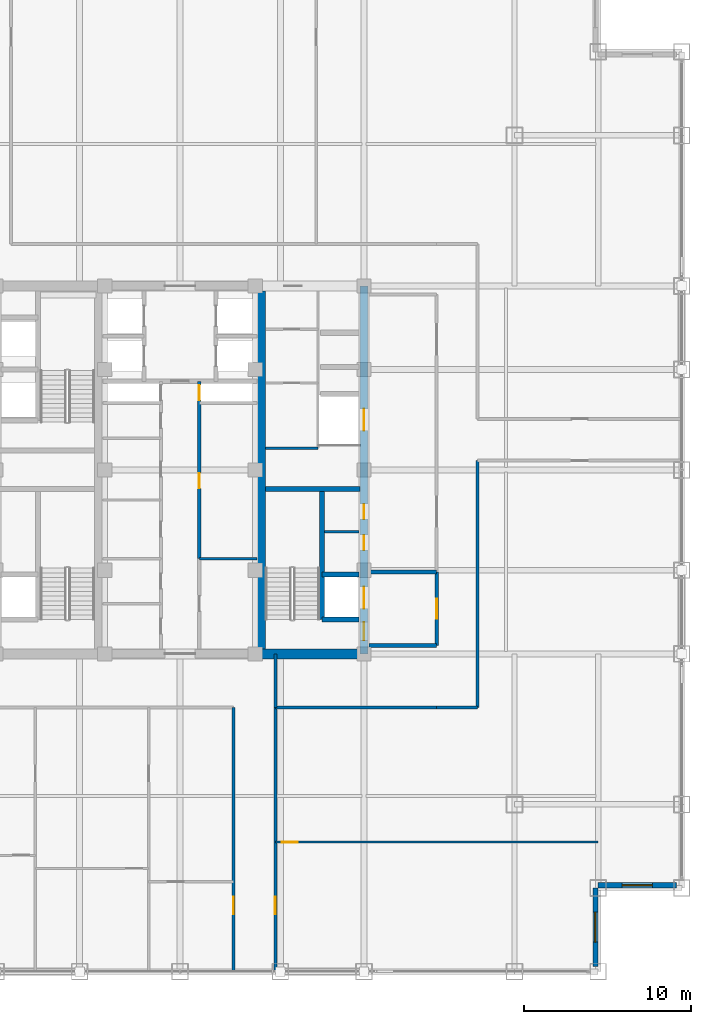
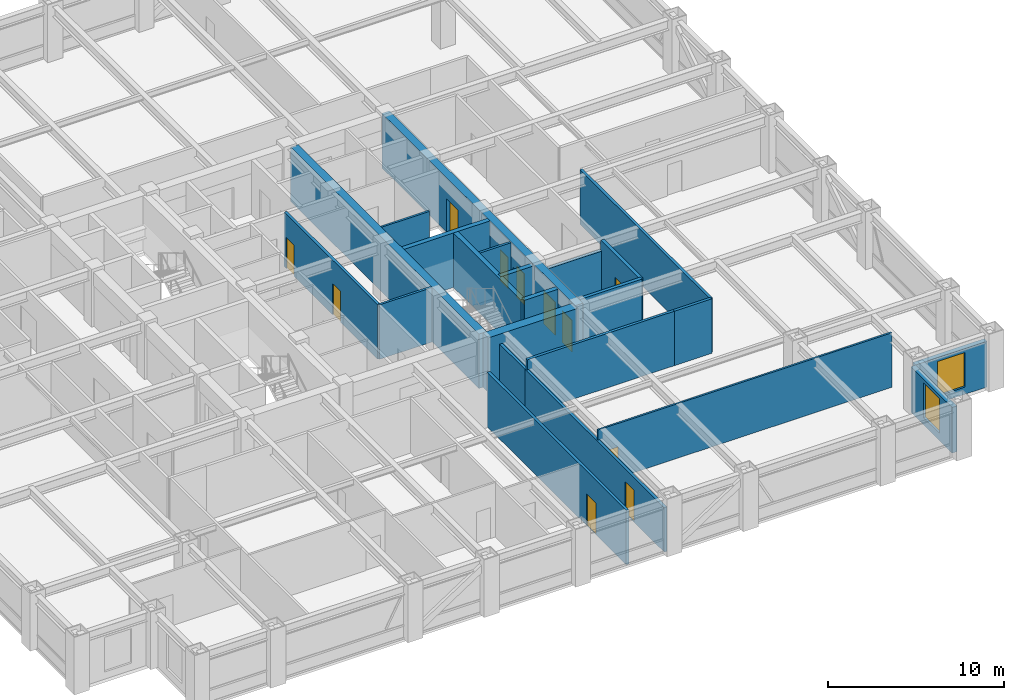
# One storey, part 21 of 24: 23 walls, 11 doors, 2 windows, 13 openings.
"""IFC4 building model written with IfcOpenShell, lengths in metres."""

from ifc_helpers import new_model, si_unit, direction, frame, frame_2d, origin, place, context, subcontext, project, spatial, rectangle, extrude, source, transform, mapped, material, layer, layer_set, type_object, element, fill, save


model = new_model("IFC4")

# Units and contexts
model_context = context("Model", 3, precision=1e-05, world=origin(), true_north=direction((0.0, 1.0)))
body_context = subcontext(model_context, "Body", "Model", "MODEL_VIEW")
ifc_project = project(units=[si_unit("LENGTHUNIT", "METRE"), si_unit("AREAUNIT", "SQUARE_METRE"), si_unit("VOLUMEUNIT", "CUBIC_METRE"), si_unit("PLANEANGLEUNIT", "RADIAN"), si_unit("MASSUNIT", "GRAM", prefix="KILO")], contexts=[model_context])

# Site, building, storey
site_placement = place(None, origin())
site = spatial("IfcSite", under=ifc_project, at=site_placement, CompositionType="ELEMENT")
building_placement = place(site_placement, origin())
building = spatial("IfcBuilding", under=site, at=building_placement, Name="Khorayat Bourse Tower", CompositionType="ELEMENT")
storey_placement = place(building_placement, frame((0.0, 0.0, 211.10009765625)))
storey = spatial("IfcBuildingStorey", under=building, at=storey_placement, Name="L49", CompositionType="ELEMENT", Elevation=211.10009765625)

# Wall
ifc_material_1 = material(Name="Concrete C52/65", Category="concrete")
ifc_layer_1 = layer(ifc_material_1, 0.5)
ifc_layer_set_1 = layer_set([ifc_layer_1], Name="Concrete C52/65")
wall_type_1 = type_object("IfcWallType", Name="WAL-CORE-500", PredefinedType="SHEAR", material=ifc_layer_set_1)
shared_shape_1 = source(origin(), body_context, "Body", "SweptSolid", [
    extrude(rectangle(XDim=21.39990234375, YDim=0.5, at=frame_2d((10.699951171875, 0.0))), origin(), (0.0, 0.0, 1.0), 3.77978515625),
])
wall_1_placement = place(storey_placement, frame((4.85009765625, -10.699951171875, 0.0), z_axis=(0.0, 0.0, 1.0), x_axis=(0.0, 1.0, 0.0)))
element("IfcWall", 1, at=wall_1_placement, inside=storey, type_object=wall_type_1, Name="L49 Core Shear Wall PIER-E", PredefinedType="SHEAR", context=body_context, shape_type="MappedRepresentation", body=[
    mapped(shared_shape_1, transform((0.0, 0.0, 0.0), scale=1.0)),
])

# Wall, openings, doors
shared_shape_2 = source(origin(), body_context, "Body", "SweptSolid", [
    extrude(rectangle(XDim=22.0, YDim=0.5, at=frame_2d((11.0, 0.0))), origin(), (0.0, 0.0, 1.0), 3.77978515625),
])
wall_2_placement = place(storey_placement, frame((11.0, -11.0, 0.0), z_axis=(0.0, 0.0, 1.0), x_axis=(0.0, 1.0, 0.0)))
wall_2 = element("IfcWall", 2, at=wall_2_placement, inside=storey, type_object=wall_type_1, Name="L49 Core Shear Wall CORE-E", PredefinedType="SHEAR", context=body_context, shape_type="MappedRepresentation", body=[
    mapped(shared_shape_2, transform((0.0, 0.0, 0.0), scale=1.0)),
])
shared_shape_3 = source(origin(), body_context, "Body", "SweptSolid", [
    extrude(rectangle(XDim=1.10009765625, YDim=2.199951171875, at=frame_2d((0.550048828125, 1.10009765625))), frame((0.0, 0.260009765625, 0.0), z_axis=(0.0, -1.0, 0.0), x_axis=(1.0, 0.0, 0.0)), (0.0, 0.0, 1.0), 0.52001953125),
])
opening_1_placement = place(wall_2_placement, frame((0.800048828125, 0.0, 0.0)))
opening_1 = element("IfcOpeningElement", 3, at=opening_1_placement, cuts=wall_2, Name="Opening DI-01", PredefinedType="OPENING", context=body_context, shape_type="MappedRepresentation", body=[
    mapped(shared_shape_3, transform((0.0, 0.0, 0.0), scale=1.0)),
])
shared_shape_4 = source(origin(), body_context, "Body", "SweptSolid", [
    extrude(rectangle(XDim=0.89990234375, YDim=2.14990234375, at=frame_2d((0.449951171875, 1.074951171875))), frame((0.0, 0.260009765625, 0.0), z_axis=(0.0, -1.0, 0.0), x_axis=(1.0, 0.0, 0.0)), (0.0, 0.0, 1.0), 0.52001953125),
])
opening_2_placement = place(wall_2_placement, frame((6.199951171875, 0.0, 0.0)))
opening_2 = element("IfcOpeningElement", 4, at=opening_2_placement, cuts=wall_2, Name="Opening DI-06", PredefinedType="OPENING", context=body_context, shape_type="MappedRepresentation", body=[
    mapped(shared_shape_4, transform((0.0, 0.0, 0.0), scale=1.0)),
])
opening_3_placement = place(wall_2_placement, frame((8.050048828125, 0.0, 0.0)))
opening_3 = element("IfcOpeningElement", 5, at=opening_3_placement, cuts=wall_2, Name="Opening DI-06", PredefinedType="OPENING", context=body_context, shape_type="MappedRepresentation", body=[
    mapped(shared_shape_4, transform((0.0, 0.0, 0.0), scale=1.0)),
])
shared_shape_5 = source(origin(), body_context, "Body", "SweptSolid", [
    extrude(rectangle(XDim=1.300048828125, YDim=2.300048828125, at=frame_2d((0.64990234375, 1.14990234375))), frame((0.0, 0.260009765625, 0.0), z_axis=(0.0, -1.0, 0.0), x_axis=(1.0, 0.0, 0.0)), (0.0, 0.0, 1.0), 0.52001953125),
])
opening_4_placement = place(wall_2_placement, frame((2.699951171875, 0.0, 0.0)))
opening_4 = element("IfcOpeningElement", 6, at=opening_4_placement, cuts=wall_2, Name="Opening LD-02", PredefinedType="OPENING", context=body_context, shape_type="MappedRepresentation", body=[
    mapped(shared_shape_5, transform((0.0, 0.0, 0.0), scale=1.0)),
])
opening_5_placement = place(wall_2_placement, frame((13.35009765625, 0.0, 0.0)))
opening_5 = element("IfcOpeningElement", 7, at=opening_5_placement, cuts=wall_2, Name="Opening LD-02", PredefinedType="OPENING", context=body_context, shape_type="MappedRepresentation", body=[
    mapped(shared_shape_5, transform((0.0, 0.0, 0.0), scale=1.0)),
])
ifc_material_2 = material(Name="Fire-rated steel acoustic leaf", Category="steel")
door_type_1 = type_object("IfcDoorType", Name="DR-INT-STAIR-1100", OperationType="NOTDEFINED", PredefinedType="DOOR", material=ifc_material_2)
shared_shape_6 = source(origin(), body_context, "Body", "SweptSolid", [
    extrude(rectangle(XDim=1.10009765625, YDim=2.199951171875, at=frame_2d((0.550048828125, 1.10009765625))), frame((0.0, 0.02490234375, 0.0), z_axis=(0.0, -1.0, 0.0), x_axis=(1.0, 0.0, 0.0)), (0.0, 0.0, 1.0), 0.050048828125),
])
door_1_placement = place(opening_1_placement, origin())
door_1 = element("IfcDoor", 8, at=door_1_placement, inside=storey, type_object=door_type_1, Name="L49 Exit Stair 3 Door", OperationType="SINGLE_SWING_LEFT", OverallHeight=2.199951171875, OverallWidth=1.10009765625, PredefinedType="DOOR", context=body_context, shape_type="MappedRepresentation", body=[
    mapped(shared_shape_6, transform((0.0, 0.0, 0.0), scale=1.0)),
])
fill(opening_1, door_1)
ifc_material_3 = material(Name="Moisture-resistant laminate washroom door")
door_type_2 = type_object("IfcDoorType", Name="DR-INT-WC-900", OperationType="NOTDEFINED", PredefinedType="DOOR", material=ifc_material_3)
shared_shape_7 = source(origin(), body_context, "Body", "SweptSolid", [
    extrude(rectangle(XDim=0.89990234375, YDim=2.14990234375, at=frame_2d((0.449951171875, 1.074951171875))), frame((0.0, 0.02490234375, 0.0), z_axis=(0.0, -1.0, 0.0), x_axis=(1.0, 0.0, 0.0)), (0.0, 0.0, 1.0), 0.050048828125),
])
door_2_placement = place(opening_2_placement, origin())
door_2 = element("IfcDoor", 9, at=door_2_placement, inside=storey, type_object=door_type_2, Name="L49 Comms Closet Door", OperationType="SINGLE_SWING_LEFT", OverallHeight=2.14990234375, OverallWidth=0.89990234375, PredefinedType="DOOR", context=body_context, shape_type="MappedRepresentation", body=[
    mapped(shared_shape_7, transform((0.0, 0.0, 0.0), scale=1.0)),
])
fill(opening_2, door_2)
door_3_placement = place(opening_3_placement, origin())
door_3 = element("IfcDoor", 10, at=door_3_placement, inside=storey, type_object=door_type_2, Name="L49 Cleaner Store Door", OperationType="SINGLE_SWING_RIGHT", OverallHeight=2.14990234375, OverallWidth=0.89990234375, PredefinedType="DOOR", context=body_context, shape_type="MappedRepresentation", body=[
    mapped(shared_shape_7, transform((0.0, 0.0, 0.0), scale=1.0)),
])
fill(opening_3, door_3)
ifc_material_4 = material(Name="Fire-rated stainless-steel sliding landing door", Category="steel")
door_type_3 = type_object("IfcDoorType", Name="DR-LIFT-FF-1300", OperationType="NOTDEFINED", PredefinedType="DOOR", material=ifc_material_4)
shared_shape_8 = source(origin(), body_context, "Body", "SweptSolid", [
    extrude(rectangle(XDim=1.300048828125, YDim=2.300048828125, at=frame_2d((0.64990234375, 1.14990234375))), frame((0.0, 0.02490234375, 0.0), z_axis=(0.0, -1.0, 0.0), x_axis=(1.0, 0.0, 0.0)), (0.0, 0.0, 1.0), 0.050048828125),
])
door_4_placement = place(opening_4_placement, origin())
door_4 = element("IfcDoor", 11, at=door_4_placement, inside=storey, type_object=door_type_3, Name="L49 Lift FFL-02 Sliding Landing Door", OperationType="SLIDING_TO_LEFT", OverallHeight=2.300048828125, OverallWidth=1.300048828125, PredefinedType="DOOR", context=body_context, shape_type="MappedRepresentation", body=[
    mapped(shared_shape_8, transform((0.0, 0.0, 0.0), scale=1.0)),
])
fill(opening_4, door_4)
door_5_placement = place(opening_5_placement, origin())
door_5 = element("IfcDoor", 12, at=door_5_placement, inside=storey, type_object=door_type_3, Name="L49 Lift SVL-01 Sliding Landing Door", OperationType="SLIDING_TO_LEFT", OverallHeight=2.300048828125, OverallWidth=1.300048828125, PredefinedType="DOOR", context=body_context, shape_type="MappedRepresentation", body=[
    mapped(shared_shape_8, transform((0.0, 0.0, 0.0), scale=1.0)),
])
fill(opening_5, door_5)

# Walls
ifc_material_5 = material(Name="Concrete C60/75", Category="concrete")
ifc_layer_2 = layer(ifc_material_5, 0.60009765625)
ifc_layer_set_2 = layer_set([ifc_layer_2], Name="Concrete C60/75")
wall_type_2 = type_object("IfcWallType", Name="WAL-CORE-600", PredefinedType="SHEAR", material=ifc_layer_set_2)
shared_shape_9 = source(origin(), body_context, "Body", "SweptSolid", [
    extrude(rectangle(XDim=5.89990234375, YDim=0.60009765625, at=frame_2d((2.949951171875, 0.0))), origin(), (0.0, 0.0, 1.0), 3.77978515625),
])
wall_3_placement = place(storey_placement, frame((4.85009765625, -11.0, 0.0), z_axis=(0.0, 0.0, 1.0), x_axis=(1.0, 0.0, 0.0)))
element("IfcWall", 13, at=wall_3_placement, inside=storey, type_object=wall_type_2, Name="L49 Core Shear Wall PIER-ES", PredefinedType="SHEAR", context=body_context, shape_type="MappedRepresentation", body=[
    mapped(shared_shape_9, transform((0.0, 0.0, 0.0), scale=1.0)),
])
ifc_material_6 = material(Name="Concrete C50/60", Category="concrete")
ifc_layer_3 = layer(ifc_material_6, 0.300048828125)
ifc_layer_set_3 = layer_set([ifc_layer_3], Name="Concrete C50/60")
wall_type_3 = type_object("IfcWallType", Name="WAL-SHAFT-300", PredefinedType="SHEAR", material=ifc_layer_set_3)
shared_shape_10 = source(origin(), body_context, "Body", "SweptSolid", [
    extrude(rectangle(XDim=5.64990234375, YDim=0.300048828125, at=frame_2d((2.824951171875, 0.0))), origin(), (0.0, 0.0, 1.0), 3.77978515625),
])
wall_4_placement = place(storey_placement, frame((5.10009765625, -1.14990234375, 0.0), z_axis=(0.0, 0.0, 1.0), x_axis=(1.0, 0.0, 0.0)))
element("IfcWall", 14, at=wall_4_placement, inside=storey, type_object=wall_type_3, Name="L49 Core Shear Wall ST3-DIV", PredefinedType="SHEAR", context=body_context, shape_type="MappedRepresentation", body=[
    mapped(shared_shape_10, transform((0.0, 0.0, 0.0), scale=1.0)),
])

# Wall, opening, window
ifc_material_7 = material(Name="Precast concrete C45/55", Category="concrete")
ifc_layer_4 = layer(ifc_material_7, 0.320068359375)
ifc_layer_set_4 = layer_set([ifc_layer_4], Name="Precast concrete C45/55")
wall_type_4 = type_object("IfcWallType", Name="WAL-EXT-STONE-320", PredefinedType="STANDARD", material=ifc_layer_set_4)
shared_shape_11 = source(origin(), body_context, "Body", "SweptSolid", [
    extrude(rectangle(XDim=4.679931640625, YDim=0.320068359375, at=frame_2d((2.33984375, 0.0))), origin(), (0.0, 0.0, 1.0), 3.163818359375),
])
wall_5_placement = place(storey_placement, frame((24.840087890625, -29.679931640625, 0.0), z_axis=(0.0, 0.0, 1.0), x_axis=(0.0, 1.0, 0.0)))
wall_5 = element("IfcWall", 15, at=wall_5_placement, inside=storey, type_object=wall_type_4, Name="L49 Re-Entrant Notch Limestone Wall SE-V", PredefinedType="STANDARD", context=body_context, shape_type="MappedRepresentation", body=[
    mapped(shared_shape_11, transform((0.0, 0.0, 0.0), scale=1.0)),
])
shared_shape_12 = source(origin(), body_context, "Body", "SweptSolid", [
    extrude(rectangle(XDim=1.800048828125, YDim=2.39990234375, at=frame_2d((0.89990234375, 1.199951171875))), frame((0.0, 0.169921875, 0.0), z_axis=(0.0, -1.0, 0.0), x_axis=(1.0, 0.0, 0.0)), (0.0, 0.0, 1.0), 0.340087890625),
])
opening_6_placement = place(wall_5_placement, frame((1.43994140625, 0.0, 0.5)))
opening_6 = element("IfcOpeningElement", 16, at=opening_6_placement, cuts=wall_5, Name="Opening WN-04", PredefinedType="OPENING", context=body_context, shape_type="MappedRepresentation", body=[
    mapped(shared_shape_12, transform((0.0, 0.0, 0.0), scale=1.0)),
])
ifc_material_8 = material(Name="Low-E acoustic laminated double glazing", Category="glass")
window_type = type_object("IfcWindowType", Name="WIN-NOTCH-1800x2400", PartitioningType="SINGLE_PANEL", PredefinedType="WINDOW", material=ifc_material_8)
shared_shape_13 = source(origin(), body_context, "Body", "SweptSolid", [
    extrude(rectangle(XDim=1.800048828125, YDim=2.39990234375, at=frame_2d((0.89990234375, 1.199951171875))), frame((0.0, 0.030029296875, 0.0), z_axis=(0.0, -1.0, 0.0), x_axis=(1.0, 0.0, 0.0)), (0.0, 0.0, 1.0), 0.06005859375),
])
window_1_placement = place(opening_6_placement, origin())
window_1 = element("IfcWindow", 17, at=window_1_placement, inside=storey, type_object=window_type, Name="L49 Facade Window 1", OverallHeight=2.39990234375, OverallWidth=1.800048828125, PartitioningType="SINGLE_PANEL", PredefinedType="WINDOW", context=body_context, shape_type="MappedRepresentation", body=[
    mapped(shared_shape_13, transform((0.0, 0.0, 0.0), scale=1.0)),
])
fill(opening_6, window_1)

wall_6_placement = place(storey_placement, frame((25.0, -24.840087890625, 0.0), z_axis=(0.0, 0.0, 1.0), x_axis=(1.0, 0.0, 0.0)))
wall_6 = element("IfcWall", 18, at=wall_6_placement, inside=storey, type_object=wall_type_4, Name="L49 Re-Entrant Notch Limestone Wall SE-H", PredefinedType="STANDARD", context=body_context, shape_type="MappedRepresentation", body=[
    mapped(shared_shape_11, transform((0.0, 0.0, 0.0), scale=1.0)),
])
opening_7_placement = place(wall_6_placement, frame((1.43994140625, 0.0, 0.5)))
opening_7 = element("IfcOpeningElement", 19, at=opening_7_placement, cuts=wall_6, Name="Opening WN-04", PredefinedType="OPENING", context=body_context, shape_type="MappedRepresentation", body=[
    mapped(shared_shape_12, transform((0.0, 0.0, 0.0), scale=1.0)),
])
window_2_placement = place(opening_7_placement, origin())
window_2 = element("IfcWindow", 20, at=window_2_placement, inside=storey, type_object=window_type, Name="L49 Facade Window 1", OverallHeight=2.39990234375, OverallWidth=1.800048828125, PartitioningType="SINGLE_PANEL", PredefinedType="WINDOW", context=body_context, shape_type="MappedRepresentation", body=[
    mapped(shared_shape_13, transform((0.0, 0.0, 0.0), scale=1.0)),
])
fill(opening_7, window_2)

# Walls
ifc_material_9 = material(Name="Aerated concrete blockwork", Category="masonry")
ifc_layer_5 = layer(ifc_material_9, 0.219970703125)
ifc_layer_set_5 = layer_set([ifc_layer_5], Name="Aerated concrete blockwork")
wall_type_5 = type_object("IfcWallType", Name="WAL-PART-FF-220", PredefinedType="PARTITIONING", material=ifc_layer_set_5)
shared_shape_14 = source(origin(), body_context, "Body", "SweptSolid", [
    extrude(rectangle(XDim=4.050048828125, YDim=0.219970703125, at=frame_2d((2.02490234375, 0.0))), origin(), (0.0, 0.0, 1.0), 3.0849609375),
])
wall_7_placement = place(storey_placement, frame((11.300048828125, -6.10009765625, 0.0), z_axis=(0.0, 0.0, 1.0), x_axis=(1.0, 0.0, 0.0)))
element("IfcWall", 21, at=wall_7_placement, inside=storey, type_object=wall_type_5, Name="L49 Partition WAL-L49-FFLE-N", PredefinedType="PARTITIONING", context=body_context, shape_type="MappedRepresentation", body=[
    mapped(shared_shape_14, transform((0.0, 0.0, 0.0), scale=1.0)),
])
shared_shape_15 = source(origin(), body_context, "Body", "SweptSolid", [
    extrude(rectangle(XDim=7.800048828125, YDim=0.300048828125, at=frame_2d((3.89990234375, 0.0))), origin(), (0.0, 0.0, 1.0), 3.77978515625),
])
wall_8_placement = place(storey_placement, frame((8.5, -8.949951171875, 0.0), z_axis=(0.0, 0.0, 1.0), x_axis=(0.0, 1.0, 0.0)))
element("IfcWall", 22, at=wall_8_placement, inside=storey, type_object=wall_type_3, Name="L49 Partition WAL-L49-EPIER-SP", PredefinedType="SHEAR", context=body_context, shape_type="MappedRepresentation", body=[
    mapped(shared_shape_15, transform((0.0, 0.0, 0.0), scale=1.0)),
])
shared_shape_16 = source(origin(), body_context, "Body", "SweptSolid", [
    extrude(rectangle(XDim=2.199951171875, YDim=0.300048828125, at=frame_2d((1.10009765625, 0.0))), origin(), (0.0, 0.0, 1.0), 3.77978515625),
])
for number, where, z_axis, x_axis, name in (
    (23, (8.5, -8.949951171875, 0.0), (0.0, 0.0, 1.0), (1.0, 0.0, 0.0), "L49 Partition WAL-L49-EPIER-FF2S"),
    (24, (8.5, -6.25, 0.0), (0.0, 0.0, 1.0), (1.0, 0.0, 0.0), "L49 Partition WAL-L49-EPIER-FF2N"),
):
    element("IfcWall", number, at=place(storey_placement, frame(where, z_axis=z_axis, x_axis=x_axis)), inside=storey, type_object=wall_type_3, Name=name, PredefinedType="SHEAR", context=body_context, shape_type="MappedRepresentation", body=[
        mapped(shared_shape_16, transform((0.0, 0.0, 0.0), scale=1.0)),
    ])
ifc_material_10 = material(Name="Gypsum plasterboard twin-frame partition")
ifc_layer_6 = layer(ifc_material_10, 0.14990234375)
ifc_layer_set_6 = layer_set([ifc_layer_6], Name="Gypsum plasterboard twin-frame partition")
wall_type_6 = type_object("IfcWallType", Name="WAL-PART-SUITE-150", PredefinedType="PARTITIONING", material=ifc_layer_set_6)
shared_shape_17 = source(origin(), body_context, "Body", "SweptSolid", [
    extrude(rectangle(XDim=2.050048828125, YDim=0.14990234375, at=frame_2d((1.02490234375, 0.0))), origin(), (0.0, 0.0, 1.0), 3.77978515625),
])
wall_9_placement = place(storey_placement, frame((8.64990234375, -3.699951171875, 0.0), z_axis=(0.0, 0.0, 1.0), x_axis=(1.0, 0.0, 0.0)))
element("IfcWall", 25, at=wall_9_placement, inside=storey, type_object=wall_type_6, Name="L49 Partition WAL-L49-ESRV-D1", PredefinedType="PARTITIONING", context=body_context, shape_type="MappedRepresentation", body=[
    mapped(shared_shape_17, transform((0.0, 0.0, 0.0), scale=1.0)),
])
ifc_material_11 = material(Name="Moisture-resistant masonry partition", Category="masonry")
ifc_layer_7 = layer(ifc_material_11, 0.139892578125)
ifc_layer_set_7 = layer_set([ifc_layer_7], Name="Moisture-resistant masonry partition")
wall_type_7 = type_object("IfcWallType", Name="WAL-PART-WET-140", PredefinedType="PARTITIONING", material=ifc_layer_set_7)
shared_shape_18 = source(origin(), body_context, "Body", "SweptSolid", [
    extrude(rectangle(XDim=3.14990234375, YDim=0.139892578125, at=frame_2d((1.574951171875, 0.0))), origin(), (0.0, 0.0, 1.0), 3.77978515625),
])
wall_10_placement = place(storey_placement, frame((5.10009765625, 1.300048828125, 0.0), z_axis=(0.0, 0.0, 1.0), x_axis=(1.0, 0.0, 0.0)))
element("IfcWall", 26, at=wall_10_placement, inside=storey, type_object=wall_type_7, Name="L49 Partition WAL-L49-ECORE-S", PredefinedType="PARTITIONING", context=body_context, shape_type="MappedRepresentation", body=[
    mapped(shared_shape_18, transform((0.0, 0.0, 0.0), scale=1.0)),
])
shared_shape_19 = source(origin(), body_context, "Body", "SweptSolid", [
    extrude(rectangle(XDim=4.050048828125, YDim=0.219970703125, at=frame_2d((2.02490234375, 0.0))), origin(), (0.0, 0.0, 1.0), 3.77978515625),
])
wall_11_placement = place(storey_placement, frame((11.300048828125, -10.5, 0.0), z_axis=(0.0, 0.0, 1.0), x_axis=(1.0, 0.0, 0.0)))
element("IfcWall", 27, at=wall_11_placement, inside=storey, type_object=wall_type_5, Name="L49 Partition WAL-L49-FFLE-S", PredefinedType="PARTITIONING", context=body_context, shape_type="MappedRepresentation", body=[
    mapped(shared_shape_19, transform((0.0, 0.0, 0.0), scale=1.0)),
])

# Wall, opening, door
shared_shape_20 = source(origin(), body_context, "Body", "SweptSolid", [
    extrude(rectangle(XDim=4.39990234375, YDim=0.219970703125, at=frame_2d((2.199951171875, 0.0))), origin(), (0.0, 0.0, 1.0), 3.77978515625),
])
wall_12_placement = place(storey_placement, frame((15.35009765625, -10.5, 0.0), z_axis=(0.0, 0.0, 1.0), x_axis=(0.0, 1.0, 0.0)))
wall_12 = element("IfcWall", 28, at=wall_12_placement, inside=storey, type_object=wall_type_5, Name="L49 Partition WAL-L49-FFLE-E", PredefinedType="PARTITIONING", context=body_context, shape_type="MappedRepresentation", body=[
    mapped(shared_shape_20, transform((0.0, 0.0, 0.0), scale=1.0)),
])
shared_shape_21 = source(origin(), body_context, "Body", "SweptSolid", [
    extrude(rectangle(XDim=1.199951171875, YDim=2.199951171875, at=frame_2d((0.60009765625, 1.10009765625))), frame((0.0, 0.119873046875, 0.0), z_axis=(0.0, -1.0, 0.0), x_axis=(1.0, 0.0, 0.0)), (0.0, 0.0, 1.0), 0.239990234375),
])
opening_8_placement = place(wall_12_placement, frame((1.60009765625, 0.0, 0.0)))
opening_8 = element("IfcOpeningElement", 29, at=opening_8_placement, cuts=wall_12, Name="Opening DI-02", PredefinedType="OPENING", context=body_context, shape_type="MappedRepresentation", body=[
    mapped(shared_shape_21, transform((0.0, 0.0, 0.0), scale=1.0)),
])
ifc_material_12 = material(Name="Fire-rated steel double-seal leaf", Category="steel")
door_type_4 = type_object("IfcDoorType", Name="DR-INT-FFLOBBY-1200", OperationType="NOTDEFINED", PredefinedType="DOOR", material=ifc_material_12)
shared_shape_22 = source(origin(), body_context, "Body", "SweptSolid", [
    extrude(rectangle(XDim=1.199951171875, YDim=2.199951171875, at=frame_2d((0.60009765625, 1.10009765625))), frame((0.0, 0.02490234375, 0.0), z_axis=(0.0, -1.0, 0.0), x_axis=(1.0, 0.0, 0.0)), (0.0, 0.0, 1.0), 0.050048828125),
])
door_6_placement = place(opening_8_placement, origin())
door_6 = element("IfcDoor", 30, at=door_6_placement, inside=storey, type_object=door_type_4, Name="L49 East Firefighting Lobby Door", OperationType="SINGLE_SWING_RIGHT", OverallHeight=2.199951171875, OverallWidth=1.199951171875, PredefinedType="DOOR", context=body_context, shape_type="MappedRepresentation", body=[
    mapped(shared_shape_22, transform((0.0, 0.0, 0.0), scale=1.0)),
])
fill(opening_8, door_6)

# Wall
shared_shape_23 = source(origin(), body_context, "Body", "SweptSolid", [
    extrude(rectangle(XDim=3.4501953125, YDim=0.14990234375, at=frame_2d((1.72509765625, 0.0))), origin(), (0.0, 0.0, 1.0), 3.77978515625),
])
wall_13_placement = place(storey_placement, frame((1.14990234375, -5.300048828125, 0.0), z_axis=(0.0, 0.0, 1.0), x_axis=(1.0, 0.0, 0.0)))
element("IfcWall", 31, at=wall_13_placement, inside=storey, type_object=wall_type_6, Name="L49 Partition WAL-L49-FB1-NE", PredefinedType="PARTITIONING", context=body_context, shape_type="MappedRepresentation", body=[
    mapped(shared_shape_23, transform((0.0, 0.0, 0.0), scale=1.0)),
])

# Wall, openings, doors
ifc_material_13 = material(Name="Gypsum plasterboard acoustic stud wall")
ifc_layer_8 = layer(ifc_material_13, 0.179931640625)
ifc_layer_set_8 = layer_set([ifc_layer_8], Name="Gypsum plasterboard acoustic stud wall")
wall_type_8 = type_object("IfcWallType", Name="WAL-PART-CORR-180", PredefinedType="PARTITIONING", material=ifc_layer_set_8)
shared_shape_24 = source(origin(), body_context, "Body", "SweptSolid", [
    extrude(rectangle(XDim=10.60009765625, YDim=0.179931640625, at=frame_2d((5.300048828125, 0.0))), origin(), (0.0, 0.0, 1.0), 3.77978515625),
])
wall_14_placement = place(storey_placement, frame((1.14990234375, -5.300048828125, 0.0), z_axis=(0.0, 0.0, 1.0), x_axis=(0.0, 1.0, 0.0)))
wall_14 = element("IfcWall", 32, at=wall_14_placement, inside=storey, type_object=wall_type_8, Name="L49 Partition WAL-L49-CME-L", PredefinedType="PARTITIONING", context=body_context, shape_type="MappedRepresentation", body=[
    mapped(shared_shape_24, transform((0.0, 0.0, 0.0), scale=1.0)),
])
shared_shape_25 = source(origin(), body_context, "Body", "SweptSolid", [
    extrude(rectangle(XDim=0.89990234375, YDim=2.14990234375, at=frame_2d((0.449951171875, 1.074951171875))), frame((0.0, 0.099853515625, 0.0), z_axis=(0.0, -1.0, 0.0), x_axis=(1.0, 0.0, 0.0)), (0.0, 0.0, 1.0), 0.199951171875),
])
opening_9_placement = place(wall_14_placement, frame((4.199951171875, 0.0, 0.0)))
opening_9 = element("IfcOpeningElement", 33, at=opening_9_placement, cuts=wall_14, Name="Opening DI-06", PredefinedType="OPENING", context=body_context, shape_type="MappedRepresentation", body=[
    mapped(shared_shape_25, transform((0.0, 0.0, 0.0), scale=1.0)),
])
opening_10_placement = place(wall_14_placement, frame((9.47509765625, 0.0, 0.0)))
opening_10 = element("IfcOpeningElement", 34, at=opening_10_placement, cuts=wall_14, Name="Opening DI-06", PredefinedType="OPENING", context=body_context, shape_type="MappedRepresentation", body=[
    mapped(shared_shape_25, transform((0.0, 0.0, 0.0), scale=1.0)),
])
door_7_placement = place(opening_9_placement, origin())
door_7 = element("IfcDoor", 35, at=door_7_placement, inside=storey, type_object=door_type_2, Name="L49 Female Core Washroom Door", OperationType="SINGLE_SWING_RIGHT", OverallHeight=2.14990234375, OverallWidth=0.89990234375, PredefinedType="DOOR", context=body_context, shape_type="MappedRepresentation", body=[
    mapped(shared_shape_7, transform((0.0, 0.0, 0.0), scale=1.0)),
])
fill(opening_9, door_7)
door_8_placement = place(opening_10_placement, origin())
door_8 = element("IfcDoor", 36, at=door_8_placement, inside=storey, type_object=door_type_2, Name="L49 East Core Riser Door", OperationType="SINGLE_SWING_RIGHT", OverallHeight=2.14990234375, OverallWidth=0.89990234375, PredefinedType="DOOR", context=body_context, shape_type="MappedRepresentation", body=[
    mapped(shared_shape_7, transform((0.0, 0.0, 0.0), scale=1.0)),
])
fill(opening_10, door_8)

# Wall
shared_shape_26 = source(origin(), body_context, "Body", "SweptSolid", [
    extrude(rectangle(XDim=2.449951171875, YDim=0.179931640625, at=frame_2d((1.22509765625, 0.0))), origin(), (0.0, 0.0, 1.0), 3.77978515625),
])
wall_15_placement = place(storey_placement, frame((15.35009765625, -14.199951171875, 0.0), z_axis=(0.0, 0.0, 1.0), x_axis=(1.0, 0.0, 0.0)))
element("IfcWall", 37, at=wall_15_placement, inside=storey, type_object=wall_type_8, Name="L49 Partition WAL-L49-C2-ES", PredefinedType="PARTITIONING", context=body_context, shape_type="MappedRepresentation", body=[
    mapped(shared_shape_26, transform((0.0, 0.0, 0.0), scale=1.0)),
])

# Wall, opening, door
shared_shape_27 = source(origin(), body_context, "Body", "SweptSolid", [
    extrude(rectangle(XDim=15.800048828125, YDim=0.179931640625, at=frame_2d((7.89990234375, 0.0))), origin(), (0.0, 0.0, 1.0), 3.77978515625),
])
wall_16_placement = place(storey_placement, frame((3.199951171875, -30.0, 0.0), z_axis=(0.0, 0.0, 1.0), x_axis=(0.0, 1.0, 0.0)))
wall_16 = element("IfcWall", 38, at=wall_16_placement, inside=storey, type_object=wall_type_8, Name="L49 Partition WAL-L49-QSW-SPK", PredefinedType="PARTITIONING", context=body_context, shape_type="MappedRepresentation", body=[
    mapped(shared_shape_27, transform((0.0, 0.0, 0.0), scale=1.0)),
])
shared_shape_28 = source(origin(), body_context, "Body", "SweptSolid", [
    extrude(rectangle(XDim=1.050048828125, YDim=2.199951171875, at=frame_2d((0.52490234375, 1.10009765625))), frame((0.0, 0.099853515625, 0.0), z_axis=(0.0, -1.0, 0.0), x_axis=(1.0, 0.0, 0.0)), (0.0, 0.0, 1.0), 0.199951171875),
])
opening_11_placement = place(wall_16_placement, frame((3.425048828125, 0.0, 0.0)))
opening_11 = element("IfcOpeningElement", 39, at=opening_11_placement, cuts=wall_16, Name="Opening DI-04", PredefinedType="OPENING", context=body_context, shape_type="MappedRepresentation", body=[
    mapped(shared_shape_28, transform((0.0, 0.0, 0.0), scale=1.0)),
])
ifc_material_14 = material(Name="Fire-rated oak veneer suite entrance door")
door_type_5 = type_object("IfcDoorType", Name="DR-INT-SUITE-1050", OperationType="NOTDEFINED", PredefinedType="DOOR", material=ifc_material_14)
shared_shape_29 = source(origin(), body_context, "Body", "SweptSolid", [
    extrude(rectangle(XDim=1.050048828125, YDim=2.199951171875, at=frame_2d((0.52490234375, 1.10009765625))), frame((0.0, 0.02490234375, 0.0), z_axis=(0.0, -1.0, 0.0), x_axis=(1.0, 0.0, 0.0)), (0.0, 0.0, 1.0), 0.050048828125),
])
door_9_placement = place(opening_11_placement, origin())
door_9 = element("IfcDoor", 40, at=door_9_placement, inside=storey, type_object=door_type_5, Name="L49 South-West Radial Spoke Entry", OperationType="SINGLE_SWING_LEFT", OverallHeight=2.199951171875, OverallWidth=1.050048828125, PredefinedType="DOOR", context=body_context, shape_type="MappedRepresentation", body=[
    mapped(shared_shape_29, transform((0.0, 0.0, 0.0), scale=1.0)),
])
fill(opening_11, door_9)

# Walls
shared_shape_30 = source(origin(), body_context, "Body", "SweptSolid", [
    extrude(rectangle(XDim=9.650146484375, YDim=0.179931640625, at=frame_2d((4.8251953125, 0.0))), origin(), (0.0, 0.0, 1.0), 3.77978515625),
])
wall_17_placement = place(storey_placement, frame((5.699951171875, -14.199951171875, 0.0), z_axis=(0.0, 0.0, 1.0), x_axis=(1.0, 0.0, 0.0)))
element("IfcWall", 41, at=wall_17_placement, inside=storey, type_object=wall_type_8, Name="L49 Partition WAL-L49-QSE-HC", PredefinedType="PARTITIONING", context=body_context, shape_type="MappedRepresentation", body=[
    mapped(shared_shape_30, transform((0.0, 0.0, 0.0), scale=1.0)),
])
shared_shape_31 = source(origin(), body_context, "Body", "SweptSolid", [
    extrude(rectangle(XDim=3.199951171875, YDim=0.179931640625, at=frame_2d((1.60009765625, 0.0))), origin(), (0.0, 0.0, 1.0), 3.0849609375),
])
wall_18_placement = place(storey_placement, frame((5.699951171875, -14.199951171875, 0.0), z_axis=(0.0, 0.0, 1.0), x_axis=(0.0, 1.0, 0.0)))
element("IfcWall", 42, at=wall_18_placement, inside=storey, type_object=wall_type_8, Name="L49 Partition WAL-L49-C2-SCE", PredefinedType="PARTITIONING", context=body_context, shape_type="MappedRepresentation", body=[
    mapped(shared_shape_31, transform((0.0, 0.0, 0.0), scale=1.0)),
])

# Wall, opening, door
ifc_material_15 = material(Name="Gypsum plasterboard partition")
ifc_layer_9 = layer(ifc_material_15, 0.125)
ifc_layer_set_9 = layer_set([ifc_layer_9], Name="Gypsum plasterboard partition")
wall_type_9 = type_object("IfcWallType", Name="WAL-PART-ROOM-125", PredefinedType="PARTITIONING", material=ifc_layer_set_9)
shared_shape_32 = source(origin(), body_context, "Body", "SweptSolid", [
    extrude(rectangle(XDim=19.300048828125, YDim=0.125, at=frame_2d((9.64990234375, 0.0))), origin(), (0.0, 0.0, 1.0), 3.77978515625),
])
wall_19_placement = place(storey_placement, frame((5.699951171875, -22.258056640625, 0.0), z_axis=(0.0, 0.0, 1.0), x_axis=(1.0, 0.0, 0.0)))
wall_19 = element("IfcWall", 43, at=wall_19_placement, inside=storey, type_object=wall_type_9, Name="L49 Partition WAL-L49-QSEDP-1", PredefinedType="PARTITIONING", context=body_context, shape_type="MappedRepresentation", body=[
    mapped(shared_shape_32, transform((0.0, 0.0, 0.0), scale=1.0)),
])
shared_shape_33 = source(origin(), body_context, "Body", "SweptSolid", [
    extrude(rectangle(XDim=0.949951171875, YDim=2.14990234375, at=frame_2d((0.47509765625, 1.074951171875))), frame((0.0, 0.072509765625, 0.0), z_axis=(0.0, -1.0, 0.0), x_axis=(1.0, 0.0, 0.0)), (0.0, 0.0, 1.0), 0.14501953125),
])
opening_12_placement = place(wall_19_placement, frame((0.375, 0.0, 0.0)))
opening_12 = element("IfcOpeningElement", 44, at=opening_12_placement, cuts=wall_19, Name="Opening DI-05", PredefinedType="OPENING", context=body_context, shape_type="MappedRepresentation", body=[
    mapped(shared_shape_33, transform((0.0, 0.0, 0.0), scale=1.0)),
])
ifc_material_16 = material(Name="Acoustic oak veneer office door")
door_type_6 = type_object("IfcDoorType", Name="DR-INT-OFFICE-950", OperationType="NOTDEFINED", PredefinedType="DOOR", material=ifc_material_16)
shared_shape_34 = source(origin(), body_context, "Body", "SweptSolid", [
    extrude(rectangle(XDim=0.949951171875, YDim=2.14990234375, at=frame_2d((0.47509765625, 1.074951171875))), frame((0.0, 0.02490234375, 0.0), z_axis=(0.0, -1.0, 0.0), x_axis=(1.0, 0.0, 0.0)), (0.0, 0.0, 1.0), 0.050048828125),
])
door_10_placement = place(opening_12_placement, origin())
door_10 = element("IfcDoor", 45, at=door_10_placement, inside=storey, type_object=door_type_6, Name="L49 South-East Occupational First Aid Clinic 1B Door", OperationType="SINGLE_SWING_RIGHT", OverallHeight=2.14990234375, OverallWidth=0.949951171875, PredefinedType="DOOR", context=body_context, shape_type="MappedRepresentation", body=[
    mapped(shared_shape_34, transform((0.0, 0.0, 0.0), scale=1.0)),
])
fill(opening_12, door_10)

shared_shape_35 = source(origin(), body_context, "Body", "SweptSolid", [
    extrude(rectangle(XDim=15.800048828125, YDim=0.179931640625, at=frame_2d((7.89990234375, 0.0))), origin(), (0.0, 0.0, 1.0), 3.0849609375),
])
wall_20_placement = place(storey_placement, frame((5.699951171875, -30.0, 0.0), z_axis=(0.0, 0.0, 1.0), x_axis=(0.0, 1.0, 0.0)))
wall_20 = element("IfcWall", 46, at=wall_20_placement, inside=storey, type_object=wall_type_8, Name="L49 Partition WAL-L49-QSE-SPK", PredefinedType="PARTITIONING", context=body_context, shape_type="MappedRepresentation", body=[
    mapped(shared_shape_35, transform((0.0, 0.0, 0.0), scale=1.0)),
])
opening_13_placement = place(wall_20_placement, frame((3.425048828125, 0.0, 0.0)))
opening_13 = element("IfcOpeningElement", 47, at=opening_13_placement, cuts=wall_20, Name="Opening DI-04", PredefinedType="OPENING", context=body_context, shape_type="MappedRepresentation", body=[
    mapped(shared_shape_28, transform((0.0, 0.0, 0.0), scale=1.0)),
])
door_11_placement = place(opening_13_placement, origin())
door_11 = element("IfcDoor", 48, at=door_11_placement, inside=storey, type_object=door_type_5, Name="L49 South-East Radial Spoke Entry", OperationType="SINGLE_SWING_LEFT", OverallHeight=2.199951171875, OverallWidth=1.050048828125, PredefinedType="DOOR", context=body_context, shape_type="MappedRepresentation", body=[
    mapped(shared_shape_29, transform((0.0, 0.0, 0.0), scale=1.0)),
])
fill(opening_13, door_11)

# Wall
shared_shape_36 = source(origin(), body_context, "Body", "SweptSolid", [
    extrude(rectangle(XDim=14.75, YDim=0.179931640625, at=frame_2d((7.375, 0.0))), origin(), (0.0, 0.0, 1.0), 3.77978515625),
])
wall_21_placement = place(storey_placement, frame((17.800048828125, -14.199951171875, 0.0), z_axis=(0.0, 0.0, 1.0), x_axis=(0.0, 1.0, 0.0)))
element("IfcWall", 49, at=wall_21_placement, inside=storey, type_object=wall_type_8, Name="L49 Partition WAL-L49-ES-IN", PredefinedType="PARTITIONING", context=body_context, shape_type="MappedRepresentation", body=[
    mapped(shared_shape_36, transform((0.0, 0.0, 0.0), scale=1.0)),
])

save(model, "model.ifc")
